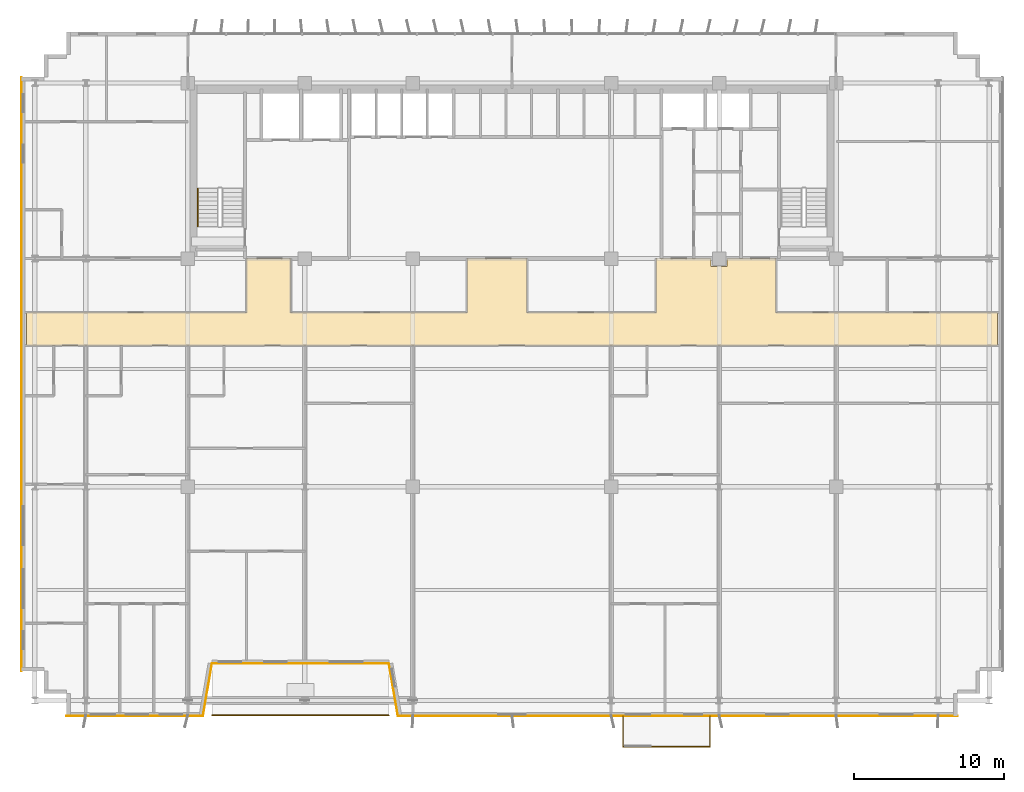
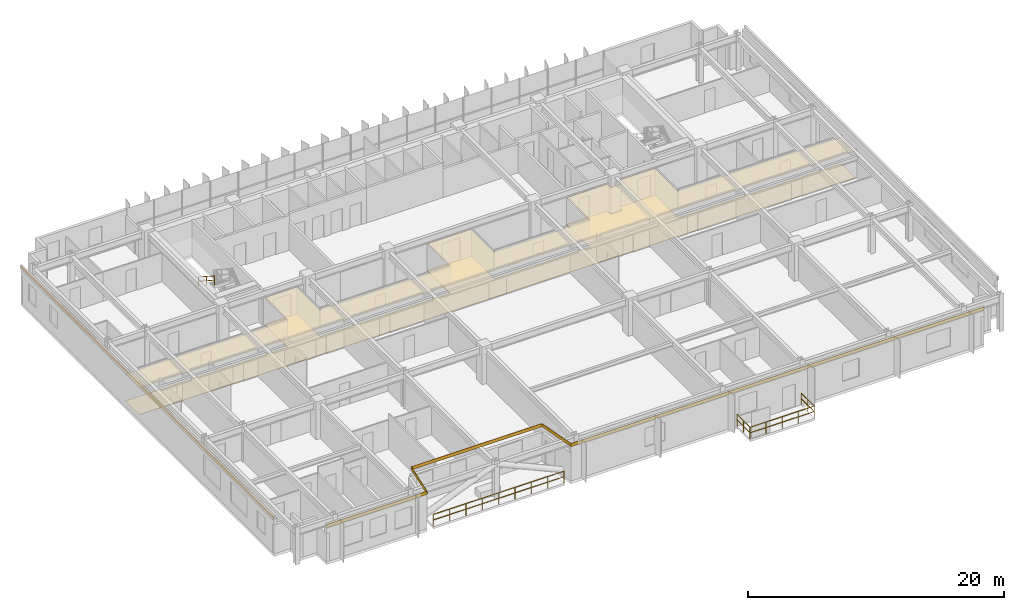
# One storey, part 21 of 23: 8 coverings, 5 railings.
"""IFC4 building model written with IfcOpenShell, lengths in metres."""

from ifc_helpers import new_model, si_unit, direction, frame, origin, origin_2d, place, context, subcontext, project, spatial, polyline, rectangle, outline, extrude, source, transform, mapped, material, layer, layer_set, type_object, element, save


model = new_model("IFC4")

# Units and contexts
model_context = context("Model", 3, precision=1e-05, world=origin(), true_north=direction((0.0, 1.0)))
body_context = subcontext(model_context, "Body", "Model", "MODEL_VIEW")
ifc_project = project(units=[si_unit("LENGTHUNIT", "METRE"), si_unit("AREAUNIT", "SQUARE_METRE"), si_unit("VOLUMEUNIT", "CUBIC_METRE"), si_unit("PLANEANGLEUNIT", "RADIAN"), si_unit("MASSUNIT", "GRAM", prefix="KILO")], contexts=[model_context])

# Site, building, storey
site_placement = place(None, origin())
site = spatial("IfcSite", under=ifc_project, at=site_placement, CompositionType="ELEMENT")
building_placement = place(site_placement, origin())
building = spatial("IfcBuilding", under=site, at=building_placement, Name="Trelvane Seafront Commons", CompositionType="ELEMENT")
storey_placement = place(building_placement, frame((0.0, 0.0, 63.10009765625)))
storey = spatial("IfcBuildingStorey", under=building, at=storey_placement, Name="L16", CompositionType="ELEMENT", Elevation=63.10009765625)

# Coverings
ifc_material_1 = material(Name="Acoustic Mineral Fibre Ceiling")
ifc_layer_1 = layer(ifc_material_1, 0.02490234375, Name="ARCH-COV-CEIL25")
ifc_layer_set_1 = layer_set([ifc_layer_1], Name="Acoustic Mineral Fibre Ceiling")
covering_type_1 = type_object("IfcCoveringType", Name="ARCH-COV-CEIL25", PredefinedType="CEILING", material=ifc_layer_set_1)
covering_1_placement = place(storey_placement, frame((0.0, 0.0, 2.5498046875)))
element("IfcCovering", 1, at=covering_1_placement, inside=storey, type_object=covering_type_1, Name="COV-CEIL-L16-09", PredefinedType="CEILING", context=body_context, shape_type="SweptSolid", body=[
    extrude(outline(polyline([(51.530029296875, 33.39990234375), (51.530029296875, 32.8701171875), (50.469970703125, 32.8701171875), (50.469970703125, 33.39990234375), (46.800048828125, 33.39990234375), (46.800048828125, 29.800048828125), (38.199951171875, 29.800048828125), (38.199951171875, 33.39990234375), (34.199951171875, 33.39990234375), (34.199951171875, 29.800048828125), (22.449951171875, 29.800048828125), (22.449951171875, 33.39990234375), (19.5, 33.39990234375), (19.5, 29.800048828125), (4.85009765625, 29.800048828125), (4.85009765625, 27.60009765625), (69.550048828125, 27.60009765625), (69.550048828125, 29.800048828125), (54.800048828125, 29.800048828125), (54.800048828125, 33.39990234375), (51.530029296875, 33.39990234375)])), origin(), (0.0, 0.0, 1.0), 0.025146484375),
])
ifc_material_2 = material(Name="Polished Terrazzo Finish")
ifc_layer_2 = layer(ifc_material_2, 0.02001953125, Name="ARCH-COV-FLOR20")
ifc_layer_set_2 = layer_set([ifc_layer_2], Name="Polished Terrazzo Finish")
covering_type_2 = type_object("IfcCoveringType", Name="ARCH-COV-FLOR20", PredefinedType="FLOORING", material=ifc_layer_set_2)
covering_2_placement = place(storey_placement, origin())
element("IfcCovering", 2, at=covering_2_placement, inside=storey, type_object=covering_type_2, Name="COV-FLOR-L16-09", PredefinedType="FLOORING", context=body_context, shape_type="SweptSolid", body=[
    extrude(outline(polyline([(51.530029296875, 33.39990234375), (51.530029296875, 32.8701171875), (50.469970703125, 32.8701171875), (50.469970703125, 33.39990234375), (46.800048828125, 33.39990234375), (46.800048828125, 29.800048828125), (38.199951171875, 29.800048828125), (38.199951171875, 33.39990234375), (34.199951171875, 33.39990234375), (34.199951171875, 29.800048828125), (22.449951171875, 29.800048828125), (22.449951171875, 33.39990234375), (19.5, 33.39990234375), (19.5, 29.800048828125), (4.85009765625, 29.800048828125), (4.85009765625, 27.60009765625), (69.550048828125, 27.60009765625), (69.550048828125, 29.800048828125), (54.800048828125, 29.800048828125), (54.800048828125, 33.39990234375), (51.530029296875, 33.39990234375)])), origin(), (0.0, 0.0, 1.0), 0.02001953125),
])

# Railings
ifc_material_3 = material(Name="Stainless steel balustrade", Category="steel")
railing_type_1 = type_object("IfcRailingType", Name="ARCH-RAIL-BAL1150", PredefinedType="BALUSTRADE", material=ifc_material_3)
railing_1_placement = place(storey_placement, frame((17.199951171875, 2.9599609375, 0.0)))
element("IfcRailing", 3, at=railing_1_placement, inside=storey, type_object=railing_type_1, Name="RL-L16-TR0-01", PredefinedType="BALUSTRADE", context=body_context, shape_type="SweptSolid", body=[
    extrude(rectangle(XDim=0.048095703125, YDim=0.048095703125, at=origin_2d()), frame((0.0, 0.0, 1.1259765625), z_axis=(1.0, 0.0, 0.0), x_axis=(0.0, 1.0, 0.0)), (0.0, 0.0, 1.0), 11.800048828125),
    extrude(rectangle(XDim=0.048095703125, YDim=0.048095703125, at=origin_2d()), frame((0.0, 0.0, 0.597900390625), z_axis=(1.0, 0.0, 0.0), x_axis=(0.0, 1.0, 0.0)), (0.0, 0.0, 1.0), 11.800048828125),
    extrude(rectangle(XDim=0.0419921875, YDim=0.0419921875, at=origin_2d()), origin(), (0.0, 0.0, 1.0), 1.1259765625),
    extrude(rectangle(XDim=0.0419921875, YDim=0.0419921875, at=origin_2d()), frame((1.47509765625, 0.0, 0.0)), (0.0, 0.0, 1.0), 1.1259765625),
    extrude(rectangle(XDim=0.0419921875, YDim=0.0419921875, at=origin_2d()), frame((2.949951171875, 0.0, 0.0)), (0.0, 0.0, 1.0), 1.1259765625),
    extrude(rectangle(XDim=0.0419921875, YDim=0.0419921875, at=origin_2d()), frame((4.425048828125, 0.0, 0.0)), (0.0, 0.0, 1.0), 1.1259765625),
    extrude(rectangle(XDim=0.0419921875, YDim=0.0419921875, at=origin_2d()), frame((5.89990234375, 0.0, 0.0)), (0.0, 0.0, 1.0), 1.1259765625),
    extrude(rectangle(XDim=0.0419921875, YDim=0.0419921875, at=origin_2d()), frame((7.375, 0.0, 0.0)), (0.0, 0.0, 1.0), 1.1259765625),
    extrude(rectangle(XDim=0.0419921875, YDim=0.0419921875, at=origin_2d()), frame((8.85009765625, 0.0, 0.0)), (0.0, 0.0, 1.0), 1.1259765625),
    extrude(rectangle(XDim=0.0419921875, YDim=0.0419921875, at=origin_2d()), frame((10.324951171875, 0.0, 0.0)), (0.0, 0.0, 1.0), 1.1259765625),
    extrude(rectangle(XDim=0.0419921875, YDim=0.0419921875, at=origin_2d()), frame((11.800048828125, 0.0, 0.0)), (0.0, 0.0, 1.0), 1.1259765625),
])
railing_2_placement = place(storey_placement, frame((44.60009765625, 2.89990234375, 0.0)))
element("IfcRailing", 4, at=railing_2_placement, inside=storey, type_object=railing_type_1, Name="RL-L16-BAL0-01", PredefinedType="BALUSTRADE", context=body_context, shape_type="SweptSolid", body=[
    extrude(rectangle(XDim=0.048095703125, YDim=0.048095703125, at=origin_2d()), frame((0.0, 0.0, 1.1259765625), z_axis=(0.0, -1.0, 0.0), x_axis=(1.0, 0.0, 0.0)), (0.0, 0.0, 1.0), 2.039794921875),
    extrude(rectangle(XDim=0.048095703125, YDim=0.048095703125, at=origin_2d()), frame((0.0, 0.0, 0.597900390625), z_axis=(0.0, -1.0, 0.0), x_axis=(1.0, 0.0, 0.0)), (0.0, 0.0, 1.0), 2.039794921875),
    extrude(rectangle(XDim=0.0419921875, YDim=0.0419921875, at=origin_2d()), origin(), (0.0, 0.0, 1.0), 1.1259765625),
    extrude(rectangle(XDim=0.0419921875, YDim=0.0419921875, at=origin_2d()), frame((0.0, -1.02001953125, 0.0)), (0.0, 0.0, 1.0), 1.1259765625),
    extrude(rectangle(XDim=0.0419921875, YDim=0.0419921875, at=origin_2d()), frame((0.0, -2.039794921875, 0.0)), (0.0, 0.0, 1.0), 1.1259765625),
])
railing_3_placement = place(storey_placement, frame((44.60009765625, 0.860107421875, 0.0)))
element("IfcRailing", 5, at=railing_3_placement, inside=storey, type_object=railing_type_1, Name="RL-L16-BAL0-02", PredefinedType="BALUSTRADE", context=body_context, shape_type="SweptSolid", body=[
    extrude(rectangle(XDim=0.048095703125, YDim=0.048095703125, at=origin_2d()), frame((0.0, 0.0, 1.1259765625), z_axis=(1.0, 0.0, 0.0), x_axis=(0.0, 1.0, 0.0)), (0.0, 0.0, 1.0), 5.7998046875),
    extrude(rectangle(XDim=0.048095703125, YDim=0.048095703125, at=origin_2d()), frame((0.0, 0.0, 0.597900390625), z_axis=(1.0, 0.0, 0.0), x_axis=(0.0, 1.0, 0.0)), (0.0, 0.0, 1.0), 5.7998046875),
    extrude(rectangle(XDim=0.0419921875, YDim=0.0419921875, at=origin_2d()), origin(), (0.0, 0.0, 1.0), 1.1259765625),
    extrude(rectangle(XDim=0.0419921875, YDim=0.0419921875, at=origin_2d()), frame((1.449951171875, 0.0, 0.0)), (0.0, 0.0, 1.0), 1.1259765625),
    extrude(rectangle(XDim=0.0419921875, YDim=0.0419921875, at=origin_2d()), frame((2.89990234375, 0.0, 0.0)), (0.0, 0.0, 1.0), 1.1259765625),
    extrude(rectangle(XDim=0.0419921875, YDim=0.0419921875, at=origin_2d()), frame((4.349853515625, 0.0, 0.0)), (0.0, 0.0, 1.0), 1.1259765625),
    extrude(rectangle(XDim=0.0419921875, YDim=0.0419921875, at=origin_2d()), frame((5.7998046875, 0.0, 0.0)), (0.0, 0.0, 1.0), 1.1259765625),
])
railing_4_placement = place(storey_placement, frame((50.39990234375, 0.860107421875, 0.0)))
element("IfcRailing", 6, at=railing_4_placement, inside=storey, type_object=railing_type_1, Name="RL-L16-BAL0-03", PredefinedType="BALUSTRADE", context=body_context, shape_type="SweptSolid", body=[
    extrude(rectangle(XDim=0.048095703125, YDim=0.048095703125, at=origin_2d()), frame((0.0, 0.0, 1.1259765625), z_axis=(0.0, 1.0, 0.0), x_axis=(-1.0, 0.0, 0.0)), (0.0, 0.0, 1.0), 2.039794921875),
    extrude(rectangle(XDim=0.048095703125, YDim=0.048095703125, at=origin_2d()), frame((0.0, 0.0, 0.597900390625), z_axis=(0.0, 1.0, 0.0), x_axis=(-1.0, 0.0, 0.0)), (0.0, 0.0, 1.0), 2.039794921875),
    extrude(rectangle(XDim=0.0419921875, YDim=0.0419921875, at=origin_2d()), origin(), (0.0, 0.0, 1.0), 1.1259765625),
    extrude(rectangle(XDim=0.0419921875, YDim=0.0419921875, at=origin_2d()), frame((0.0, 1.02001953125, 0.0)), (0.0, 0.0, 1.0), 1.1259765625),
    extrude(rectangle(XDim=0.0419921875, YDim=0.0419921875, at=origin_2d()), frame((0.0, 2.039794921875, 0.0)), (0.0, 0.0, 1.0), 1.1259765625),
])
railing_type_2 = type_object("IfcRailingType", Name="ARCH-SRL-HAND", PredefinedType="HANDRAIL", material=ifc_material_3)
railing_5_placement = place(storey_placement, frame((16.25, 38.070068359375, 1.97998046875)))
element("IfcRailing", 7, at=railing_5_placement, inside=storey, type_object=railing_type_2, Name="L16 ST-1 stair handrail 2", PredefinedType="HANDRAIL", context=body_context, shape_type="SweptSolid", body=[
    extrude(rectangle(XDim=0.048095703125, YDim=0.048095703125, at=origin_2d()), frame((0.0, 0.0, 0.8759765625), z_axis=(0.0, -0.841199657755, 0.540724639528), x_axis=(1.0, 0.0, 0.0)), (0.0, 0.0, 1.0), 2.995849609375),
    extrude(rectangle(XDim=0.048095703125, YDim=0.048095703125, at=origin_2d()), frame((0.0, 0.0, 0.468017578125), z_axis=(0.0, -0.841199657755, 0.540724639528), x_axis=(1.0, 0.0, 0.0)), (0.0, 0.0, 1.0), 2.995849609375),
    extrude(rectangle(XDim=0.0419921875, YDim=0.0419921875, at=origin_2d()), origin(), (0.0, 0.0, 1.0), 0.8759765625),
    extrude(rectangle(XDim=0.0419921875, YDim=0.0419921875, at=origin_2d()), frame((0.0, -1.260009765625, 0.81005859375)), (0.0, 0.0, 1.0), 0.8759765625),
    extrude(rectangle(XDim=0.0419921875, YDim=0.0419921875, at=origin_2d()), frame((0.0, -2.52001953125, 1.619873046875)), (0.0, 0.0, 1.0), 0.8759765625),
])

# Coverings
ifc_material_4 = material(Name="Anodised pale-silver aluminium", Category="aluminium")
ifc_layer_3 = layer(ifc_material_4, 0.034912109375, Name="ARCH-COV-CLAD35")
ifc_layer_set_3 = layer_set([ifc_layer_3], Name="Anodised pale-silver aluminium")
covering_type_3 = type_object("IfcCoveringType", Name="ARCH-COV-CLAD35", PredefinedType="CLADDING", material=ifc_layer_set_3)
shared_shape_1 = source(origin(), body_context, "Body", "SweptSolid", [
    extrude(rectangle(XDim=39.60009765625, YDim=0.034912109375, at=origin_2d()), origin(), (0.0, 0.0, 1.0), 0.300048828125),
])
covering_3_placement = place(storey_placement, frame((4.5, 25.699951171875, 3.2998046875), z_axis=(0.0, 0.0, 1.0), x_axis=(0.0, 1.0, 0.0)))
element("IfcCovering", 8, at=covering_3_placement, inside=storey, type_object=covering_type_3, Name="CLD-L16-00072", PredefinedType="CLADDING", context=body_context, shape_type="MappedRepresentation", body=[
    mapped(shared_shape_1, transform((0.0, 0.0, 0.0), x_axis=(1.0, 0.0, 0.0), y_axis=(0.0, 1.0, 0.0), z_axis=(0.0, 0.0, 1.0), scale=1.0)),
])
shared_shape_2 = source(origin(), body_context, "Body", "SweptSolid", [
    extrude(rectangle(XDim=37.300048828125, YDim=0.034912109375, at=origin_2d()), origin(), (0.0, 0.0, 1.0), 0.300048828125),
])
covering_4_placement = place(storey_placement, frame((48.25, 2.89990234375, 3.2998046875), z_axis=(0.0, 0.0, 1.0), x_axis=(-1.0, 0.0, 0.0)))
element("IfcCovering", 9, at=covering_4_placement, inside=storey, type_object=covering_type_3, Name="CLD-L16-00074", PredefinedType="CLADDING", context=body_context, shape_type="MappedRepresentation", body=[
    mapped(shared_shape_2, transform((0.0, 0.0, 0.0), x_axis=(1.0, 0.0, 0.0), y_axis=(0.0, 1.0, 0.0), z_axis=(0.0, 0.0, 1.0), scale=1.0)),
])
shared_shape_3 = source(origin(), body_context, "Body", "SweptSolid", [
    extrude(rectangle(XDim=3.551025390625, YDim=0.034912109375, at=origin_2d()), origin(), (0.0, 0.0, 1.0), 0.300048828125),
])
for number, where, z_axis, x_axis, name in (
    (10, (29.300048828125, 4.64990234375, 3.2998046875), (0.0, 0.0, 1.0), (-0.168964184077, 0.985622191562, 0.0), "CLD-L16-00075"),
    (11, (16.89990234375, 4.64990234375, 3.2998046875), (0.0, 0.0, 1.0), (-0.168964184077, -0.985622191562, 0.0), "CLD-L16-00077"),
):
    element("IfcCovering", number, at=place(storey_placement, frame(where, z_axis=z_axis, x_axis=x_axis)), inside=storey, type_object=covering_type_3, Name=name, PredefinedType="CLADDING", context=body_context, shape_type="MappedRepresentation", body=[
        mapped(shared_shape_3, transform((0.0, 0.0, 0.0), x_axis=(1.0, 0.0, 0.0), y_axis=(0.0, 1.0, 0.0), z_axis=(0.0, 0.0, 1.0), scale=1.0)),
    ])
shared_shape_4 = source(origin(), body_context, "Body", "SweptSolid", [
    extrude(rectangle(XDim=11.800048828125, YDim=0.034912109375, at=origin_2d()), origin(), (0.0, 0.0, 1.0), 0.300048828125),
])
covering_5_placement = place(storey_placement, frame((23.10009765625, 6.39990234375, 3.2998046875), z_axis=(0.0, 0.0, 1.0), x_axis=(-1.0, 0.0, 0.0)))
element("IfcCovering", 12, at=covering_5_placement, inside=storey, type_object=covering_type_3, Name="CLD-L16-00076", PredefinedType="CLADDING", context=body_context, shape_type="MappedRepresentation", body=[
    mapped(shared_shape_4, transform((0.0, 0.0, 0.0), x_axis=(1.0, 0.0, 0.0), y_axis=(0.0, 1.0, 0.0), z_axis=(0.0, 0.0, 1.0), scale=1.0)),
])
shared_shape_5 = source(origin(), body_context, "Body", "SweptSolid", [
    extrude(rectangle(XDim=9.10009765625, YDim=0.034912109375, at=origin_2d()), origin(), (0.0, 0.0, 1.0), 0.300048828125),
])
covering_6_placement = place(storey_placement, frame((12.050048828125, 2.89990234375, 3.2998046875), z_axis=(0.0, 0.0, 1.0), x_axis=(-1.0, 0.0, 0.0)))
element("IfcCovering", 13, at=covering_6_placement, inside=storey, type_object=covering_type_3, Name="CLD-L16-00078", PredefinedType="CLADDING", context=body_context, shape_type="MappedRepresentation", body=[
    mapped(shared_shape_5, transform((0.0, 0.0, 0.0), x_axis=(1.0, 0.0, 0.0), y_axis=(0.0, 1.0, 0.0), z_axis=(0.0, 0.0, 1.0), scale=1.0)),
])

save(model, "model.ifc")
